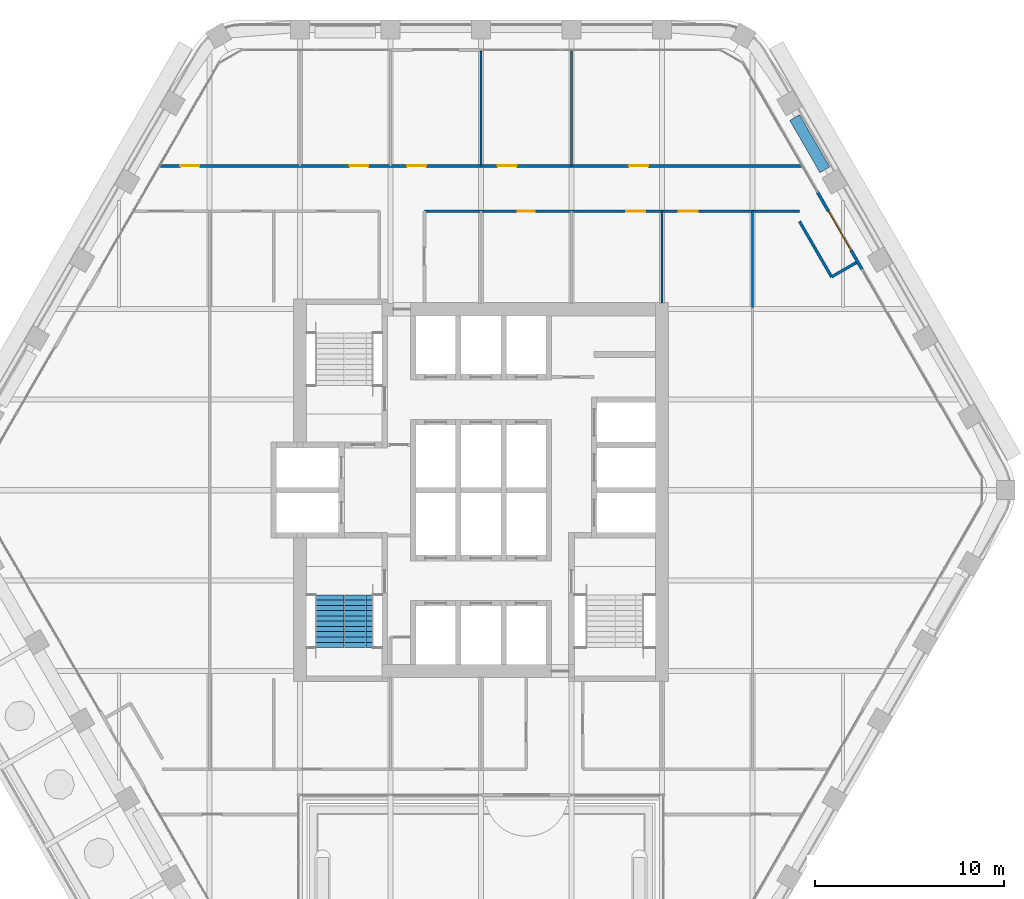
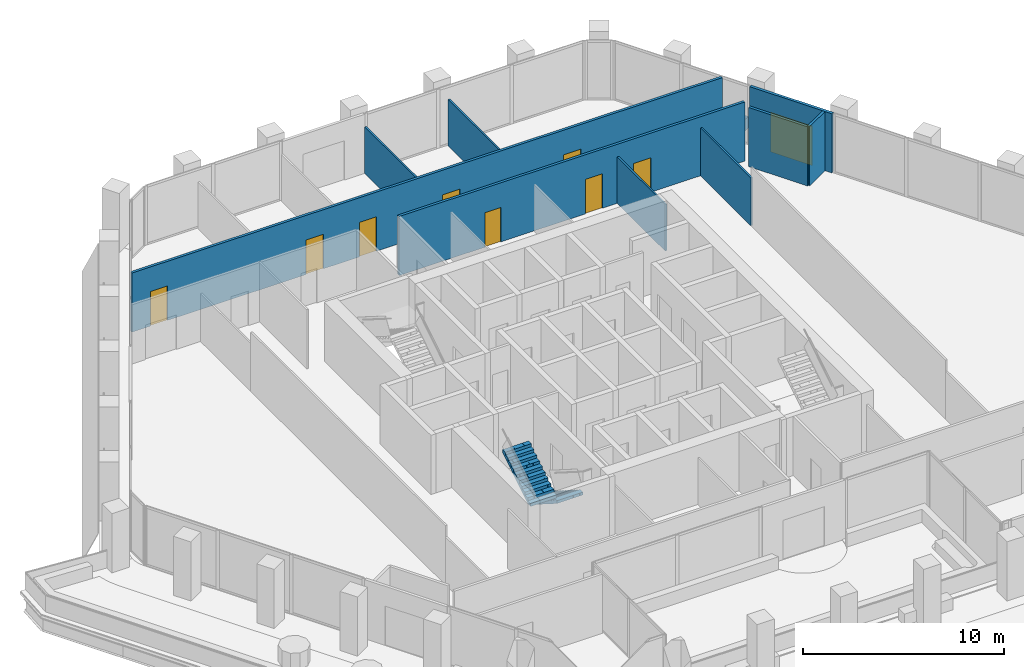
# One storey, part 15 of 18: 10 walls, 9 doors, 2 stair flights, 9 openings, 1 element without a shape of its own.
"""IFC4 building model written with IfcOpenShell, lengths in metres."""

from ifc_helpers import new_model, si_unit, direction, frame, frame_2d, origin, place, context, subcontext, project, spatial, polyline, rectangle, outline, extrude, material, layer, layer_set, type_object, element, fill, aggregate, save


model = new_model("IFC4")

# Units and contexts
model_context = context("Model", 3, precision=1e-05, world=origin(), true_north=direction((0.0, 1.0)))
body_context = subcontext(model_context, "Body", "Model", "MODEL_VIEW")
ifc_project = project(units=[si_unit("LENGTHUNIT", "METRE"), si_unit("AREAUNIT", "SQUARE_METRE"), si_unit("VOLUMEUNIT", "CUBIC_METRE"), si_unit("PLANEANGLEUNIT", "RADIAN"), si_unit("MASSUNIT", "GRAM", prefix="KILO")], contexts=[model_context])

# Site, building, storey
site_placement = place(None, origin())
site = spatial("IfcSite", under=ifc_project, at=site_placement, CompositionType="ELEMENT")
building_placement = place(site_placement, origin())
building = spatial("IfcBuilding", under=site, at=building_placement, Name="Kolab Exchange Tower", CompositionType="ELEMENT")
storey_placement = place(building_placement, frame((0.0, 0.0, 212.89990234375)))
storey = spatial("IfcBuildingStorey", under=building, at=storey_placement, Name="L46", CompositionType="ELEMENT", Elevation=212.89990234375)

# Wall, opening, door
ifc_material_1 = material(Name="Aluminium EN AW-6063 T6", Category="aluminium")
ifc_layer_1 = layer(ifc_material_1, 0.159912109375)
ifc_layer_set_1 = layer_set([ifc_layer_1], Name="Aluminium EN AW-6063 T6")
wall_type_1 = type_object("IfcWallType", Name="DOOR SURROUND WALL 160 ALUMINIUM FRAMED", PredefinedType="PARTITIONING", material=ifc_layer_set_1)
wall_1_placement = place(storey_placement, frame((17.8466796875, 15.811767578125, 0.0), z_axis=(0.0, 0.0, 1.0), x_axis=(0.5000167099, -0.866015756104, 0.0)))
wall_1 = element("IfcWall", 1, at=wall_1_placement, inside=storey, type_object=wall_type_1, Name="Door surround wall", PredefinedType="PARTITIONING", context=body_context, shape_type="SweptSolid", body=[
    extrude(rectangle(XDim=4.739990234375, YDim=0.159912109375, at=frame_2d((2.3701171875, 0.0))), origin(), (0.0, 0.0, 1.0), 3.60009765625),
])
opening_1_placement = place(wall_1_placement, frame((1.169921875, 0.0, 0.0)))
opening_1 = element("IfcOpeningElement", 2, at=opening_1_placement, cuts=wall_1, Name="Opening GD1-071", PredefinedType="OPENING", context=body_context, shape_type="SweptSolid", body=[
    extrude(rectangle(XDim=2.39990234375, YDim=2.39990234375, at=frame_2d((1.199951171875, 1.199951171875))), frame((0.0, 0.08984375, 0.0), z_axis=(0.0, -1.0, 0.0), x_axis=(1.0, 0.0, 0.0)), (0.0, 0.0, 1.0), 0.179931640625),
])
door_type_1 = type_object("IfcDoorType", Name="LOGGIA SLIDING GLASS DOOR 2400 X 2400", OperationType="DOUBLE_DOOR_SINGLE_SWING", PredefinedType="DOOR", material=ifc_material_1)
door_1_placement = place(opening_1_placement, origin())
door_1 = element("IfcDoor", 3, at=door_1_placement, inside=storey, type_object=door_type_1, Name="Loggia door", OperationType="DOUBLE_DOOR_SLIDING", OverallHeight=2.39990234375, OverallWidth=2.39990234375, PredefinedType="DOOR", context=body_context, shape_type="SweptSolid", body=[
    extrude(rectangle(XDim=2.39990234375, YDim=2.39990234375, at=frame_2d((1.199951171875, 1.199951171875))), frame((0.0, 0.02490234375, 0.0), z_axis=(0.0, -1.0, 0.0), x_axis=(1.0, 0.0, 0.0)), (0.0, 0.0, 1.0), 0.050048828125),
])
fill(opening_1, door_1)

# Walls
ifc_material_2 = material(Name="Gypsum board", Category="gypsum")
ifc_layer_2 = layer(ifc_material_2, 0.10009765625)
ifc_layer_set_2 = layer_set([ifc_layer_2], Name="Gypsum board")
wall_type_2 = type_object("IfcWallType", Name="PARTITION 100", PredefinedType="PARTITIONING", material=ifc_layer_set_2)
wall_2_placement = place(storey_placement, frame((14.39990234375, 9.7060546875, 0.0), z_axis=(0.0, 0.0, 1.0), x_axis=(0.0, 1.0, 0.0)))
element("IfcWall", 4, at=wall_2_placement, inside=storey, type_object=wall_type_2, Name="Partition 000", PredefinedType="PARTITIONING", context=body_context, shape_type="SweptSolid", body=[
    extrude(rectangle(XDim=5.093994140625, YDim=0.10009765625, at=frame_2d((2.546875, 0.0))), origin(), (0.0, 0.0, 1.0), 2.916015625),
])
wall_3_placement = place(storey_placement, frame((9.60009765625, 9.949951171875, 0.0), z_axis=(0.0, 0.0, 1.0), x_axis=(0.0, 1.0, 0.0)))
element("IfcWall", 5, at=wall_3_placement, inside=storey, type_object=wall_type_2, Name="Partition 002", PredefinedType="PARTITIONING", context=body_context, shape_type="SweptSolid", body=[
    extrude(rectangle(XDim=4.85009765625, YDim=0.10009765625, at=frame_2d((2.425048828125, 0.0))), origin(), (0.0, 0.0, 1.0), 2.838134765625),
])
wall_4_placement = place(storey_placement, frame((4.800048828125, 17.199951171875, 0.0), z_axis=(0.0, 0.0, 1.0), x_axis=(0.0, 1.0, 0.0)))
element("IfcWall", 6, at=wall_4_placement, inside=storey, type_object=wall_type_2, Name="Partition 005", PredefinedType="PARTITIONING", context=body_context, shape_type="SweptSolid", body=[
    extrude(rectangle(XDim=6.071533203125, YDim=0.10009765625, at=frame_2d((3.03564453125, 0.0))), origin(), (0.0, 0.0, 1.0), 2.838134765625),
])
wall_5_placement = place(storey_placement, frame((0.0, 17.199951171875, 0.0), z_axis=(0.0, 0.0, 1.0), x_axis=(0.0, 1.0, 0.0)))
element("IfcWall", 7, at=wall_5_placement, inside=storey, type_object=wall_type_2, Name="Partition 009", PredefinedType="PARTITIONING", context=body_context, shape_type="SweptSolid", body=[
    extrude(rectangle(XDim=6.08154296875, YDim=0.10009765625, at=frame_2d((3.040771484375, 0.0))), origin(), (0.0, 0.0, 1.0), 2.838134765625),
])
ifc_layer_3 = layer(ifc_material_2, 0.14990234375)
ifc_layer_set_3 = layer_set([ifc_layer_3], Name="Gypsum board")
wall_type_3 = type_object("IfcWallType", Name="PARTITION 150 FIRE-RATED", PredefinedType="PARTITIONING", material=ifc_layer_set_3)
wall_6_placement = place(storey_placement, frame((16.89599609375, 14.25830078125, 0.0), z_axis=(0.0, 0.0, 1.0), x_axis=(0.499977295307, -0.866038511948, 0.0)))
element("IfcWall", 8, at=wall_6_placement, inside=storey, type_object=wall_type_3, Name="Partition 020", PredefinedType="PARTITIONING", context=body_context, shape_type="SweptSolid", body=[
    extrude(rectangle(XDim=3.400146484375, YDim=0.14990234375, at=frame_2d((1.7001953125, 0.0))), origin(), (0.0, 0.0, 1.0), 3.60009765625),
])
wall_7_placement = place(storey_placement, frame((18.595947265625, 11.313720703125, 0.0), z_axis=(0.0, 0.0, 1.0), x_axis=(0.866030456496, 0.499991248344, 0.0)))
element("IfcWall", 9, at=wall_7_placement, inside=storey, type_object=wall_type_3, Name="Partition 022", PredefinedType="PARTITIONING", context=body_context, shape_type="SweptSolid", body=[
    extrude(rectangle(XDim=1.52001953125, YDim=0.14990234375, at=frame_2d((0.760009765625, 0.0))), origin(), (0.0, 0.0, 1.0), 3.60009765625),
])

# Wall, openings, doors
wall_8_placement = place(storey_placement, frame((-3.0, 14.800048828125, 0.0), z_axis=(0.0, 0.0, 1.0), x_axis=(1.0, 0.0, 0.0)))
wall_8 = element("IfcWall", 10, at=wall_8_placement, inside=storey, type_object=wall_type_3, Name="Partition 030", PredefinedType="PARTITIONING", context=body_context, shape_type="SweptSolid", body=[
    extrude(rectangle(XDim=19.9052734375, YDim=0.14990234375, at=frame_2d((9.95263671875, 0.0))), origin(), (0.0, 0.0, 1.0), 3.60009765625),
])
opening_2_placement = place(wall_8_placement, frame((4.949951171875, 0.0, 0.0)))
opening_2 = element("IfcOpeningElement", 11, at=opening_2_placement, cuts=wall_8, Name="Opening D3-067", PredefinedType="OPENING", context=body_context, shape_type="SweptSolid", body=[
    extrude(rectangle(XDim=0.89990234375, YDim=2.10009765625, at=frame_2d((0.449951171875, 1.050048828125))), frame((0.0, 0.0849609375, 0.0), z_axis=(0.0, -1.0, 0.0), x_axis=(1.0, 0.0, 0.0)), (0.0, 0.0, 1.0), 0.169921875),
])
opening_3_placement = place(wall_8_placement, frame((10.715087890625, 0.0, 0.0)))
opening_3 = element("IfcOpeningElement", 12, at=opening_3_placement, cuts=wall_8, Name="Opening D1-591", PredefinedType="OPENING", context=body_context, shape_type="SweptSolid", body=[
    extrude(rectangle(XDim=1.0, YDim=2.10009765625, at=frame_2d((0.5, 1.050048828125))), frame((0.0, 0.0849609375, 0.0), z_axis=(0.0, -1.0, 0.0), x_axis=(1.0, 0.0, 0.0)), (0.0, 0.0, 1.0), 0.169921875),
])
opening_4_placement = place(wall_8_placement, frame((13.485107421875, 0.0, 0.0)))
opening_4 = element("IfcOpeningElement", 13, at=opening_4_placement, cuts=wall_8, Name="Opening D1-603", PredefinedType="OPENING", context=body_context, shape_type="SweptSolid", body=[
    extrude(rectangle(XDim=1.0, YDim=2.10009765625, at=frame_2d((0.5, 1.050048828125))), frame((0.0, 0.0849609375, 0.0), z_axis=(0.0, -1.0, 0.0), x_axis=(1.0, 0.0, 0.0)), (0.0, 0.0, 1.0), 0.169921875),
])
ifc_material_3 = material(Name="Steel S235", Category="steel")
door_type_2 = type_object("IfcDoorType", Name="FLUSH DOOR 1000 FD60", OperationType="SINGLE_SWING_LEFT", PredefinedType="DOOR", material=ifc_material_3)
door_2_placement = place(opening_3_placement, frame((1.0, 0.0, 0.0), z_axis=(0.0, 0.0, 1.0), x_axis=(-1.0, 0.0, 0.0)))
door_2 = element("IfcDoor", 14, at=door_2_placement, inside=storey, type_object=door_type_2, Name="Door L46-033", OperationType="SINGLE_SWING_RIGHT", OverallHeight=2.10009765625, OverallWidth=1.0, PredefinedType="DOOR", context=body_context, shape_type="SweptSolid", body=[
    extrude(rectangle(XDim=1.0, YDim=2.10009765625, at=frame_2d((0.5, 1.050048828125))), frame((0.0, 0.02490234375, 0.0), z_axis=(0.0, -1.0, 0.0), x_axis=(1.0, 0.0, 0.0)), (0.0, 0.0, 1.0), 0.050048828125),
])
fill(opening_3, door_2)
door_3_placement = place(opening_4_placement, frame((1.0, 0.0, 0.0), z_axis=(0.0, 0.0, 1.0), x_axis=(-1.0, 0.0, 0.0)))
door_3 = element("IfcDoor", 15, at=door_3_placement, inside=storey, type_object=door_type_2, Name="Door L46-046", OperationType="SINGLE_SWING_LEFT", OverallHeight=2.10009765625, OverallWidth=1.0, PredefinedType="DOOR", context=body_context, shape_type="SweptSolid", body=[
    extrude(rectangle(XDim=1.0, YDim=2.10009765625, at=frame_2d((0.5, 1.050048828125))), frame((0.0, 0.02490234375, 0.0), z_axis=(0.0, -1.0, 0.0), x_axis=(1.0, 0.0, 0.0)), (0.0, 0.0, 1.0), 0.050048828125),
])
fill(opening_4, door_3)
door_type_3 = type_object("IfcDoorType", Name="FLUSH DOOR 900 FD60", OperationType="SINGLE_SWING_LEFT", PredefinedType="DOOR", material=ifc_material_3)
door_4_placement = place(opening_2_placement, frame((0.89990234375, 0.0, 0.0), z_axis=(0.0, 0.0, 1.0), x_axis=(-1.0, 0.0, 0.0)))
door_4 = element("IfcDoor", 16, at=door_4_placement, inside=storey, type_object=door_type_3, Name="Door L46-032", OperationType="SINGLE_SWING_RIGHT", OverallHeight=2.10009765625, OverallWidth=0.89990234375, PredefinedType="DOOR", context=body_context, shape_type="SweptSolid", body=[
    extrude(rectangle(XDim=0.89990234375, YDim=2.10009765625, at=frame_2d((0.449951171875, 1.050048828125))), frame((0.0, 0.02490234375, 0.0), z_axis=(0.0, -1.0, 0.0), x_axis=(1.0, 0.0, 0.0)), (0.0, 0.0, 1.0), 0.050048828125),
])
fill(opening_2, door_4)

wall_9_placement = place(storey_placement, frame((-16.9990234375, 17.199951171875, 0.0), z_axis=(0.0, 0.0, 1.0), x_axis=(1.0, 0.0, 0.0)))
wall_9 = element("IfcWall", 17, at=wall_9_placement, inside=storey, type_object=wall_type_3, Name="Partition 031", PredefinedType="PARTITIONING", context=body_context, shape_type="SweptSolid", body=[
    extrude(rectangle(XDim=33.998046875, YDim=0.14990234375, at=frame_2d((16.9990234375, 0.0))), origin(), (0.0, 0.0, 1.0), 3.60009765625),
])
opening_5_placement = place(wall_9_placement, frame((1.052001953125, 0.0, 0.0)))
opening_5 = element("IfcOpeningElement", 18, at=opening_5_placement, cuts=wall_9, Name="Opening D1-596", PredefinedType="OPENING", context=body_context, shape_type="SweptSolid", body=[
    extrude(rectangle(XDim=1.0, YDim=2.10009765625, at=frame_2d((0.5, 1.050048828125))), frame((0.0, 0.0849609375, 0.0), z_axis=(0.0, -1.0, 0.0), x_axis=(1.0, 0.0, 0.0)), (0.0, 0.0, 1.0), 0.169921875),
])
opening_6_placement = place(wall_9_placement, frame((10.02392578125, 0.0, 0.0)))
opening_6 = element("IfcOpeningElement", 19, at=opening_6_placement, cuts=wall_9, Name="Opening D1-597", PredefinedType="OPENING", context=body_context, shape_type="SweptSolid", body=[
    extrude(rectangle(XDim=1.0, YDim=2.10009765625, at=frame_2d((0.5, 1.050048828125))), frame((0.0, 0.0849609375, 0.0), z_axis=(0.0, -1.0, 0.0), x_axis=(1.0, 0.0, 0.0)), (0.0, 0.0, 1.0), 0.169921875),
])
opening_7_placement = place(wall_9_placement, frame((13.083984375, 0.0, 0.0)))
opening_7 = element("IfcOpeningElement", 20, at=opening_7_placement, cuts=wall_9, Name="Opening D1-598", PredefinedType="OPENING", context=body_context, shape_type="SweptSolid", body=[
    extrude(rectangle(XDim=1.0, YDim=2.10009765625, at=frame_2d((0.5, 1.050048828125))), frame((0.0, 0.0849609375, 0.0), z_axis=(0.0, -1.0, 0.0), x_axis=(1.0, 0.0, 0.0)), (0.0, 0.0, 1.0), 0.169921875),
])
opening_8_placement = place(wall_9_placement, frame((17.884033203125, 0.0, 0.0)))
opening_8 = element("IfcOpeningElement", 21, at=opening_8_placement, cuts=wall_9, Name="Opening D1-599", PredefinedType="OPENING", context=body_context, shape_type="SweptSolid", body=[
    extrude(rectangle(XDim=1.0, YDim=2.10009765625, at=frame_2d((0.5, 1.050048828125))), frame((0.0, 0.0849609375, 0.0), z_axis=(0.0, -1.0, 0.0), x_axis=(1.0, 0.0, 0.0)), (0.0, 0.0, 1.0), 0.169921875),
])
opening_9_placement = place(wall_9_placement, frame((24.8583984375, 0.0, 0.0)))
opening_9 = element("IfcOpeningElement", 22, at=opening_9_placement, cuts=wall_9, Name="Opening D1-600", PredefinedType="OPENING", context=body_context, shape_type="SweptSolid", body=[
    extrude(rectangle(XDim=1.0, YDim=2.10009765625, at=frame_2d((0.5, 1.050048828125))), frame((0.0, 0.0849609375, 0.0), z_axis=(0.0, -1.0, 0.0), x_axis=(1.0, 0.0, 0.0)), (0.0, 0.0, 1.0), 0.169921875),
])
door_5_placement = place(opening_5_placement, origin())
door_5 = element("IfcDoor", 23, at=door_5_placement, inside=storey, type_object=door_type_2, Name="Door L46-039", OperationType="SINGLE_SWING_LEFT", OverallHeight=2.10009765625, OverallWidth=1.0, PredefinedType="DOOR", context=body_context, shape_type="SweptSolid", body=[
    extrude(rectangle(XDim=1.0, YDim=2.10009765625, at=frame_2d((0.5, 1.050048828125))), frame((0.0, 0.02490234375, 0.0), z_axis=(0.0, -1.0, 0.0), x_axis=(1.0, 0.0, 0.0)), (0.0, 0.0, 1.0), 0.050048828125),
])
fill(opening_5, door_5)
door_6_placement = place(opening_6_placement, origin())
door_6 = element("IfcDoor", 24, at=door_6_placement, inside=storey, type_object=door_type_2, Name="Door L46-040", OperationType="SINGLE_SWING_RIGHT", OverallHeight=2.10009765625, OverallWidth=1.0, PredefinedType="DOOR", context=body_context, shape_type="SweptSolid", body=[
    extrude(rectangle(XDim=1.0, YDim=2.10009765625, at=frame_2d((0.5, 1.050048828125))), frame((0.0, 0.02490234375, 0.0), z_axis=(0.0, -1.0, 0.0), x_axis=(1.0, 0.0, 0.0)), (0.0, 0.0, 1.0), 0.050048828125),
])
fill(opening_6, door_6)
door_7_placement = place(opening_7_placement, origin())
door_7 = element("IfcDoor", 25, at=door_7_placement, inside=storey, type_object=door_type_2, Name="Door L46-041", OperationType="SINGLE_SWING_LEFT", OverallHeight=2.10009765625, OverallWidth=1.0, PredefinedType="DOOR", context=body_context, shape_type="SweptSolid", body=[
    extrude(rectangle(XDim=1.0, YDim=2.10009765625, at=frame_2d((0.5, 1.050048828125))), frame((0.0, 0.02490234375, 0.0), z_axis=(0.0, -1.0, 0.0), x_axis=(1.0, 0.0, 0.0)), (0.0, 0.0, 1.0), 0.050048828125),
])
fill(opening_7, door_7)
door_8_placement = place(opening_8_placement, origin())
door_8 = element("IfcDoor", 26, at=door_8_placement, inside=storey, type_object=door_type_2, Name="Door L46-042", OperationType="SINGLE_SWING_LEFT", OverallHeight=2.10009765625, OverallWidth=1.0, PredefinedType="DOOR", context=body_context, shape_type="SweptSolid", body=[
    extrude(rectangle(XDim=1.0, YDim=2.10009765625, at=frame_2d((0.5, 1.050048828125))), frame((0.0, 0.02490234375, 0.0), z_axis=(0.0, -1.0, 0.0), x_axis=(1.0, 0.0, 0.0)), (0.0, 0.0, 1.0), 0.050048828125),
])
fill(opening_8, door_8)
door_9_placement = place(opening_9_placement, origin())
door_9 = element("IfcDoor", 27, at=door_9_placement, inside=storey, type_object=door_type_2, Name="Door L46-043", OperationType="SINGLE_SWING_LEFT", OverallHeight=2.10009765625, OverallWidth=1.0, PredefinedType="DOOR", context=body_context, shape_type="SweptSolid", body=[
    extrude(rectangle(XDim=1.0, YDim=2.10009765625, at=frame_2d((0.5, 1.050048828125))), frame((0.0, 0.02490234375, 0.0), z_axis=(0.0, -1.0, 0.0), x_axis=(1.0, 0.0, 0.0)), (0.0, 0.0, 1.0), 0.050048828125),
])
fill(opening_9, door_9)

# Wall
ifc_material_4 = material(Name="Granite facing", Category="masonry")
ifc_layer_4 = layer(ifc_material_4, 0.0400390625)
ifc_material_5 = material(Name="Concrete C40/50 precast", Category="concrete")
ifc_layer_5 = layer(ifc_material_5, 0.56005859375)
ifc_layer_set_4 = layer_set([ifc_layer_4, ifc_layer_5], Name="Concrete C40/50 precast")
wall_type_4 = type_object("IfcWallType", Name="PLANTER BOX 600 X 700 SOIL DEPTH 550", PredefinedType="USERDEFINED", material=ifc_layer_set_4)
wall_10_placement = place(storey_placement, frame((16.636962890625, 19.766845703125, 0.0), z_axis=(0.0, 0.0, 1.0), x_axis=(0.500028443584, -0.866008981251, 0.0)))
element("IfcWall", 28, at=wall_10_placement, inside=storey, type_object=wall_type_4, Name="Planter", ObjectType="PLANTER", PredefinedType="USERDEFINED", context=body_context, shape_type="SweptSolid", body=[
    extrude(rectangle(XDim=3.199951171875, YDim=0.60009765625, at=frame_2d((1.60009765625, 0.0))), origin(), (0.0, 0.0, 1.0), 0.7001953125),
])

# Stair, stair flights
ifc_material_6 = material(Name="Concrete C50/60", Category="concrete")
stair_type = type_object("IfcStairType", Name="STAIR ST3 RISER 177.3", PredefinedType="HALF_TURN_STAIR", material=ifc_material_6)
stair_placement = place(storey_placement, origin())
stair = element("IfcStair", 29, at=stair_placement, inside=storey, type_object=stair_type, Name="Stair 3", PredefinedType="HALF_TURN_STAIR")
stair_flight_type = type_object("IfcStairFlightType", Name="STAIR FLIGHT 1500 RISER 177.3", PredefinedType="STRAIGHT", material=ifc_material_6)
stair_flight_1_placement = place(storey_placement, frame((-6.489990234375, -5.550048828125, 0.0), z_axis=(0.0, 0.0, 1.0), x_axis=(0.0, -1.0, 0.0)))
stair_flight_1 = element("IfcStairFlight", 30, at=stair_flight_1_placement, type_object=stair_flight_type, Name="ST3 flight 1", NumberOfRisers=11, NumberOfTreads=10, PredefinedType="STRAIGHT", RiserHeight=0.177272727, TreadLength=0.28, context=body_context, shape_type="SweptSolid", body=[
    extrude(outline(polyline([(0.0, 0.0), (0.0, 0.17724609375), (0.280029296875, 0.17724609375), (0.280029296875, 0.3544921875), (0.56005859375, 0.3544921875), (0.56005859375, 0.53173828125), (0.840087890625, 0.53173828125), (0.840087890625, 0.708984375), (1.1201171875, 0.708984375), (1.1201171875, 0.886474609375), (1.39990234375, 0.886474609375), (1.39990234375, 1.063720703125), (1.679931640625, 1.063720703125), (1.679931640625, 1.240966796875), (1.9599609375, 1.240966796875), (1.9599609375, 1.418212890625), (2.239990234375, 1.418212890625), (2.239990234375, 1.595458984375), (2.52001953125, 1.595458984375), (2.52001953125, 1.772705078125), (2.800048828125, 1.772705078125), (2.800048828125, 1.949951171875), (2.800048828125, 1.59521484375), (0.2802734375, 0.0), (0.0, 0.0)])), frame((0.0, 0.75, 0.0), z_axis=(0.0, -1.0, 0.0), x_axis=(1.0, 0.0, 0.0)), (0.0, 0.0, 1.0), 0.185791015625),
    extrude(outline(polyline([(0.0, 0.0), (0.0, 0.17724609375), (0.280029296875, 0.17724609375), (0.280029296875, 0.3544921875), (0.56005859375, 0.3544921875), (0.56005859375, 0.53173828125), (0.840087890625, 0.53173828125), (0.840087890625, 0.708984375), (1.1201171875, 0.708984375), (1.1201171875, 0.886474609375), (1.39990234375, 0.886474609375), (1.39990234375, 1.063720703125), (1.679931640625, 1.063720703125), (1.679931640625, 1.240966796875), (1.9599609375, 1.240966796875), (1.9599609375, 1.418212890625), (2.239990234375, 1.418212890625), (2.239990234375, 1.595458984375), (2.52001953125, 1.595458984375), (2.52001953125, 1.772705078125), (2.800048828125, 1.772705078125), (2.800048828125, 1.949951171875), (2.800048828125, 1.59521484375), (0.2802734375, 0.0), (0.0, 0.0)])), frame((0.0, 0.562255859375, 0.0), z_axis=(0.0, -1.0, 0.0), x_axis=(1.0, 0.0, 0.0)), (0.0, 0.0, 1.0), 0.185791015625),
    extrude(outline(polyline([(0.0, 0.0), (0.0, 0.17724609375), (0.280029296875, 0.17724609375), (0.280029296875, 0.3544921875), (0.56005859375, 0.3544921875), (0.56005859375, 0.53173828125), (0.840087890625, 0.53173828125), (0.840087890625, 0.708984375), (1.1201171875, 0.708984375), (1.1201171875, 0.886474609375), (1.39990234375, 0.886474609375), (1.39990234375, 1.063720703125), (1.679931640625, 1.063720703125), (1.679931640625, 1.240966796875), (1.9599609375, 1.240966796875), (1.9599609375, 1.418212890625), (2.239990234375, 1.418212890625), (2.239990234375, 1.595458984375), (2.52001953125, 1.595458984375), (2.52001953125, 1.772705078125), (2.800048828125, 1.772705078125), (2.800048828125, 1.949951171875), (2.800048828125, 1.59521484375), (0.2802734375, 0.0), (0.0, 0.0)])), frame((0.0, 0.37451171875, 0.0), z_axis=(0.0, -1.0, 0.0), x_axis=(1.0, 0.0, 0.0)), (0.0, 0.0, 1.0), 0.185791015625),
    extrude(outline(polyline([(0.0, 0.0), (0.0, 0.17724609375), (0.280029296875, 0.17724609375), (0.280029296875, 0.3544921875), (0.56005859375, 0.3544921875), (0.56005859375, 0.53173828125), (0.840087890625, 0.53173828125), (0.840087890625, 0.708984375), (1.1201171875, 0.708984375), (1.1201171875, 0.886474609375), (1.39990234375, 0.886474609375), (1.39990234375, 1.063720703125), (1.679931640625, 1.063720703125), (1.679931640625, 1.240966796875), (1.9599609375, 1.240966796875), (1.9599609375, 1.418212890625), (2.239990234375, 1.418212890625), (2.239990234375, 1.595458984375), (2.52001953125, 1.595458984375), (2.52001953125, 1.772705078125), (2.800048828125, 1.772705078125), (2.800048828125, 1.949951171875), (2.800048828125, 1.59521484375), (0.2802734375, 0.0), (0.0, 0.0)])), frame((0.0, 0.186767578125, 0.0), z_axis=(0.0, -1.0, 0.0), x_axis=(1.0, 0.0, 0.0)), (0.0, 0.0, 1.0), 0.185791015625),
    extrude(outline(polyline([(0.0, 0.0), (0.0, 0.17724609375), (0.280029296875, 0.17724609375), (0.280029296875, 0.3544921875), (0.56005859375, 0.3544921875), (0.56005859375, 0.53173828125), (0.840087890625, 0.53173828125), (0.840087890625, 0.708984375), (1.1201171875, 0.708984375), (1.1201171875, 0.886474609375), (1.39990234375, 0.886474609375), (1.39990234375, 1.063720703125), (1.679931640625, 1.063720703125), (1.679931640625, 1.240966796875), (1.9599609375, 1.240966796875), (1.9599609375, 1.418212890625), (2.239990234375, 1.418212890625), (2.239990234375, 1.595458984375), (2.52001953125, 1.595458984375), (2.52001953125, 1.772705078125), (2.800048828125, 1.772705078125), (2.800048828125, 1.949951171875), (2.800048828125, 1.59521484375), (0.2802734375, 0.0), (0.0, 0.0)])), frame((0.0, -0.0009765625, 0.0), z_axis=(0.0, -1.0, 0.0), x_axis=(1.0, 0.0, 0.0)), (0.0, 0.0, 1.0), 0.185791015625),
    extrude(outline(polyline([(0.0, 0.0), (0.0, 0.17724609375), (0.280029296875, 0.17724609375), (0.280029296875, 0.3544921875), (0.56005859375, 0.3544921875), (0.56005859375, 0.53173828125), (0.840087890625, 0.53173828125), (0.840087890625, 0.708984375), (1.1201171875, 0.708984375), (1.1201171875, 0.886474609375), (1.39990234375, 0.886474609375), (1.39990234375, 1.063720703125), (1.679931640625, 1.063720703125), (1.679931640625, 1.240966796875), (1.9599609375, 1.240966796875), (1.9599609375, 1.418212890625), (2.239990234375, 1.418212890625), (2.239990234375, 1.595458984375), (2.52001953125, 1.595458984375), (2.52001953125, 1.772705078125), (2.800048828125, 1.772705078125), (2.800048828125, 1.949951171875), (2.800048828125, 1.59521484375), (0.2802734375, 0.0), (0.0, 0.0)])), frame((0.0, -0.188720703125, 0.0), z_axis=(0.0, -1.0, 0.0), x_axis=(1.0, 0.0, 0.0)), (0.0, 0.0, 1.0), 0.185791015625),
    extrude(outline(polyline([(0.0, 0.0), (0.0, 0.17724609375), (0.280029296875, 0.17724609375), (0.280029296875, 0.3544921875), (0.56005859375, 0.3544921875), (0.56005859375, 0.53173828125), (0.840087890625, 0.53173828125), (0.840087890625, 0.708984375), (1.1201171875, 0.708984375), (1.1201171875, 0.886474609375), (1.39990234375, 0.886474609375), (1.39990234375, 1.063720703125), (1.679931640625, 1.063720703125), (1.679931640625, 1.240966796875), (1.9599609375, 1.240966796875), (1.9599609375, 1.418212890625), (2.239990234375, 1.418212890625), (2.239990234375, 1.595458984375), (2.52001953125, 1.595458984375), (2.52001953125, 1.772705078125), (2.800048828125, 1.772705078125), (2.800048828125, 1.949951171875), (2.800048828125, 1.59521484375), (0.2802734375, 0.0), (0.0, 0.0)])), frame((0.0, -0.37646484375, 0.0), z_axis=(0.0, -1.0, 0.0), x_axis=(1.0, 0.0, 0.0)), (0.0, 0.0, 1.0), 0.185791015625),
    extrude(outline(polyline([(0.0, 0.0), (0.0, 0.17724609375), (0.280029296875, 0.17724609375), (0.280029296875, 0.3544921875), (0.56005859375, 0.3544921875), (0.56005859375, 0.53173828125), (0.840087890625, 0.53173828125), (0.840087890625, 0.708984375), (1.1201171875, 0.708984375), (1.1201171875, 0.886474609375), (1.39990234375, 0.886474609375), (1.39990234375, 1.063720703125), (1.679931640625, 1.063720703125), (1.679931640625, 1.240966796875), (1.9599609375, 1.240966796875), (1.9599609375, 1.418212890625), (2.239990234375, 1.418212890625), (2.239990234375, 1.595458984375), (2.52001953125, 1.595458984375), (2.52001953125, 1.772705078125), (2.800048828125, 1.772705078125), (2.800048828125, 1.949951171875), (2.800048828125, 1.59521484375), (0.2802734375, 0.0), (0.0, 0.0)])), frame((0.0, -0.564208984375, 0.0), z_axis=(0.0, -1.0, 0.0), x_axis=(1.0, 0.0, 0.0)), (0.0, 0.0, 1.0), 0.185791015625),
])
stair_flight_2_placement = place(storey_placement, frame((-8.010009765625, -8.35009765625, 1.9501953125), z_axis=(0.0, 0.0, 1.0), x_axis=(0.0, 1.0, 0.0)))
stair_flight_2 = element("IfcStairFlight", 31, at=stair_flight_2_placement, type_object=stair_flight_type, Name="ST3 flight 2", NumberOfRisers=11, NumberOfTreads=10, PredefinedType="STRAIGHT", RiserHeight=0.177272727, TreadLength=0.28, context=body_context, shape_type="SweptSolid", body=[
    extrude(outline(polyline([(0.0, 0.0), (0.0, 0.17724609375), (0.280029296875, 0.17724609375), (0.280029296875, 0.3544921875), (0.56005859375, 0.3544921875), (0.56005859375, 0.53173828125), (0.840087890625, 0.53173828125), (0.840087890625, 0.708984375), (1.1201171875, 0.708984375), (1.1201171875, 0.886474609375), (1.39990234375, 0.886474609375), (1.39990234375, 1.063720703125), (1.679931640625, 1.063720703125), (1.679931640625, 1.240966796875), (1.9599609375, 1.240966796875), (1.9599609375, 1.418212890625), (2.239990234375, 1.418212890625), (2.239990234375, 1.595458984375), (2.52001953125, 1.595458984375), (2.52001953125, 1.772705078125), (2.800048828125, 1.772705078125), (2.800048828125, 1.949951171875), (2.800048828125, 1.59521484375), (0.2802734375, 0.0), (0.0, 0.0)])), frame((0.0, 0.75, 0.0), z_axis=(0.0, -1.0, 0.0), x_axis=(1.0, 0.0, 0.0)), (0.0, 0.0, 1.0), 0.185791015625),
    extrude(outline(polyline([(0.0, 0.0), (0.0, 0.17724609375), (0.280029296875, 0.17724609375), (0.280029296875, 0.3544921875), (0.56005859375, 0.3544921875), (0.56005859375, 0.53173828125), (0.840087890625, 0.53173828125), (0.840087890625, 0.708984375), (1.1201171875, 0.708984375), (1.1201171875, 0.886474609375), (1.39990234375, 0.886474609375), (1.39990234375, 1.063720703125), (1.679931640625, 1.063720703125), (1.679931640625, 1.240966796875), (1.9599609375, 1.240966796875), (1.9599609375, 1.418212890625), (2.239990234375, 1.418212890625), (2.239990234375, 1.595458984375), (2.52001953125, 1.595458984375), (2.52001953125, 1.772705078125), (2.800048828125, 1.772705078125), (2.800048828125, 1.949951171875), (2.800048828125, 1.59521484375), (0.2802734375, 0.0), (0.0, 0.0)])), frame((0.0, 0.562255859375, 0.0), z_axis=(0.0, -1.0, 0.0), x_axis=(1.0, 0.0, 0.0)), (0.0, 0.0, 1.0), 0.185791015625),
    extrude(outline(polyline([(0.0, 0.0), (0.0, 0.17724609375), (0.280029296875, 0.17724609375), (0.280029296875, 0.3544921875), (0.56005859375, 0.3544921875), (0.56005859375, 0.53173828125), (0.840087890625, 0.53173828125), (0.840087890625, 0.708984375), (1.1201171875, 0.708984375), (1.1201171875, 0.886474609375), (1.39990234375, 0.886474609375), (1.39990234375, 1.063720703125), (1.679931640625, 1.063720703125), (1.679931640625, 1.240966796875), (1.9599609375, 1.240966796875), (1.9599609375, 1.418212890625), (2.239990234375, 1.418212890625), (2.239990234375, 1.595458984375), (2.52001953125, 1.595458984375), (2.52001953125, 1.772705078125), (2.800048828125, 1.772705078125), (2.800048828125, 1.949951171875), (2.800048828125, 1.59521484375), (0.2802734375, 0.0), (0.0, 0.0)])), frame((0.0, 0.37451171875, 0.0), z_axis=(0.0, -1.0, 0.0), x_axis=(1.0, 0.0, 0.0)), (0.0, 0.0, 1.0), 0.185791015625),
    extrude(outline(polyline([(0.0, 0.0), (0.0, 0.17724609375), (0.280029296875, 0.17724609375), (0.280029296875, 0.3544921875), (0.56005859375, 0.3544921875), (0.56005859375, 0.53173828125), (0.840087890625, 0.53173828125), (0.840087890625, 0.708984375), (1.1201171875, 0.708984375), (1.1201171875, 0.886474609375), (1.39990234375, 0.886474609375), (1.39990234375, 1.063720703125), (1.679931640625, 1.063720703125), (1.679931640625, 1.240966796875), (1.9599609375, 1.240966796875), (1.9599609375, 1.418212890625), (2.239990234375, 1.418212890625), (2.239990234375, 1.595458984375), (2.52001953125, 1.595458984375), (2.52001953125, 1.772705078125), (2.800048828125, 1.772705078125), (2.800048828125, 1.949951171875), (2.800048828125, 1.59521484375), (0.2802734375, 0.0), (0.0, 0.0)])), frame((0.0, 0.186767578125, 0.0), z_axis=(0.0, -1.0, 0.0), x_axis=(1.0, 0.0, 0.0)), (0.0, 0.0, 1.0), 0.185791015625),
    extrude(outline(polyline([(0.0, 0.0), (0.0, 0.17724609375), (0.280029296875, 0.17724609375), (0.280029296875, 0.3544921875), (0.56005859375, 0.3544921875), (0.56005859375, 0.53173828125), (0.840087890625, 0.53173828125), (0.840087890625, 0.708984375), (1.1201171875, 0.708984375), (1.1201171875, 0.886474609375), (1.39990234375, 0.886474609375), (1.39990234375, 1.063720703125), (1.679931640625, 1.063720703125), (1.679931640625, 1.240966796875), (1.9599609375, 1.240966796875), (1.9599609375, 1.418212890625), (2.239990234375, 1.418212890625), (2.239990234375, 1.595458984375), (2.52001953125, 1.595458984375), (2.52001953125, 1.772705078125), (2.800048828125, 1.772705078125), (2.800048828125, 1.949951171875), (2.800048828125, 1.59521484375), (0.2802734375, 0.0), (0.0, 0.0)])), frame((0.0, -0.0009765625, 0.0), z_axis=(0.0, -1.0, 0.0), x_axis=(1.0, 0.0, 0.0)), (0.0, 0.0, 1.0), 0.185791015625),
    extrude(outline(polyline([(0.0, 0.0), (0.0, 0.17724609375), (0.280029296875, 0.17724609375), (0.280029296875, 0.3544921875), (0.56005859375, 0.3544921875), (0.56005859375, 0.53173828125), (0.840087890625, 0.53173828125), (0.840087890625, 0.708984375), (1.1201171875, 0.708984375), (1.1201171875, 0.886474609375), (1.39990234375, 0.886474609375), (1.39990234375, 1.063720703125), (1.679931640625, 1.063720703125), (1.679931640625, 1.240966796875), (1.9599609375, 1.240966796875), (1.9599609375, 1.418212890625), (2.239990234375, 1.418212890625), (2.239990234375, 1.595458984375), (2.52001953125, 1.595458984375), (2.52001953125, 1.772705078125), (2.800048828125, 1.772705078125), (2.800048828125, 1.949951171875), (2.800048828125, 1.59521484375), (0.2802734375, 0.0), (0.0, 0.0)])), frame((0.0, -0.188720703125, 0.0), z_axis=(0.0, -1.0, 0.0), x_axis=(1.0, 0.0, 0.0)), (0.0, 0.0, 1.0), 0.185791015625),
    extrude(outline(polyline([(0.0, 0.0), (0.0, 0.17724609375), (0.280029296875, 0.17724609375), (0.280029296875, 0.3544921875), (0.56005859375, 0.3544921875), (0.56005859375, 0.53173828125), (0.840087890625, 0.53173828125), (0.840087890625, 0.708984375), (1.1201171875, 0.708984375), (1.1201171875, 0.886474609375), (1.39990234375, 0.886474609375), (1.39990234375, 1.063720703125), (1.679931640625, 1.063720703125), (1.679931640625, 1.240966796875), (1.9599609375, 1.240966796875), (1.9599609375, 1.418212890625), (2.239990234375, 1.418212890625), (2.239990234375, 1.595458984375), (2.52001953125, 1.595458984375), (2.52001953125, 1.772705078125), (2.800048828125, 1.772705078125), (2.800048828125, 1.949951171875), (2.800048828125, 1.59521484375), (0.2802734375, 0.0), (0.0, 0.0)])), frame((0.0, -0.37646484375, 0.0), z_axis=(0.0, -1.0, 0.0), x_axis=(1.0, 0.0, 0.0)), (0.0, 0.0, 1.0), 0.185791015625),
    extrude(outline(polyline([(0.0, 0.0), (0.0, 0.17724609375), (0.280029296875, 0.17724609375), (0.280029296875, 0.3544921875), (0.56005859375, 0.3544921875), (0.56005859375, 0.53173828125), (0.840087890625, 0.53173828125), (0.840087890625, 0.708984375), (1.1201171875, 0.708984375), (1.1201171875, 0.886474609375), (1.39990234375, 0.886474609375), (1.39990234375, 1.063720703125), (1.679931640625, 1.063720703125), (1.679931640625, 1.240966796875), (1.9599609375, 1.240966796875), (1.9599609375, 1.418212890625), (2.239990234375, 1.418212890625), (2.239990234375, 1.595458984375), (2.52001953125, 1.595458984375), (2.52001953125, 1.772705078125), (2.800048828125, 1.772705078125), (2.800048828125, 1.949951171875), (2.800048828125, 1.59521484375), (0.2802734375, 0.0), (0.0, 0.0)])), frame((0.0, -0.564208984375, 0.0), z_axis=(0.0, -1.0, 0.0), x_axis=(1.0, 0.0, 0.0)), (0.0, 0.0, 1.0), 0.185791015625),
])
aggregate(stair, [stair_flight_1, stair_flight_2])

save(model, "model.ifc")
